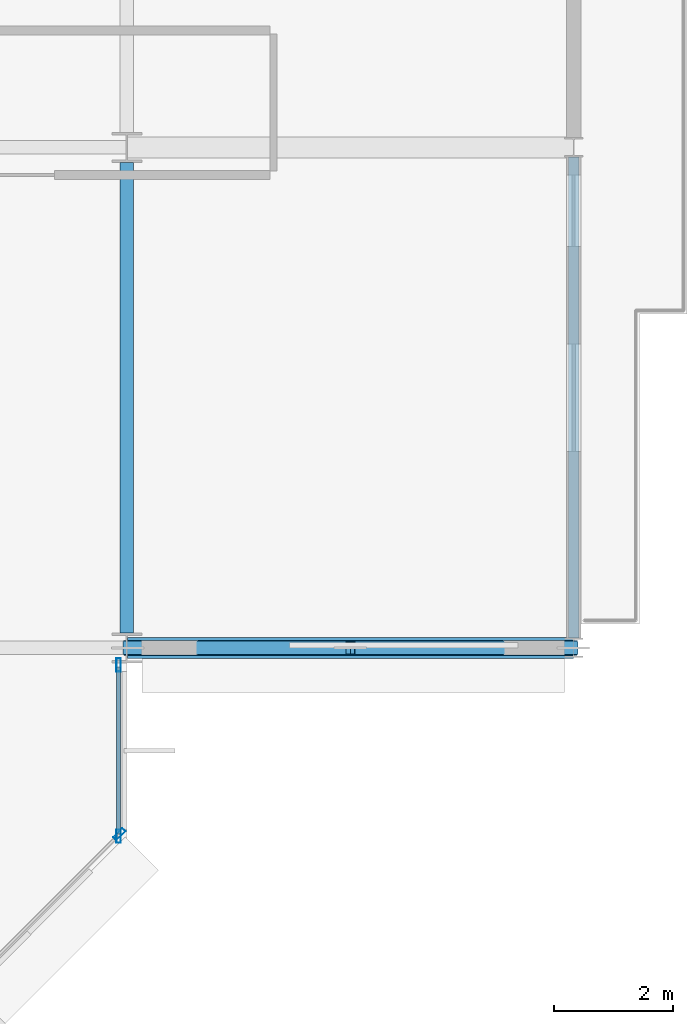
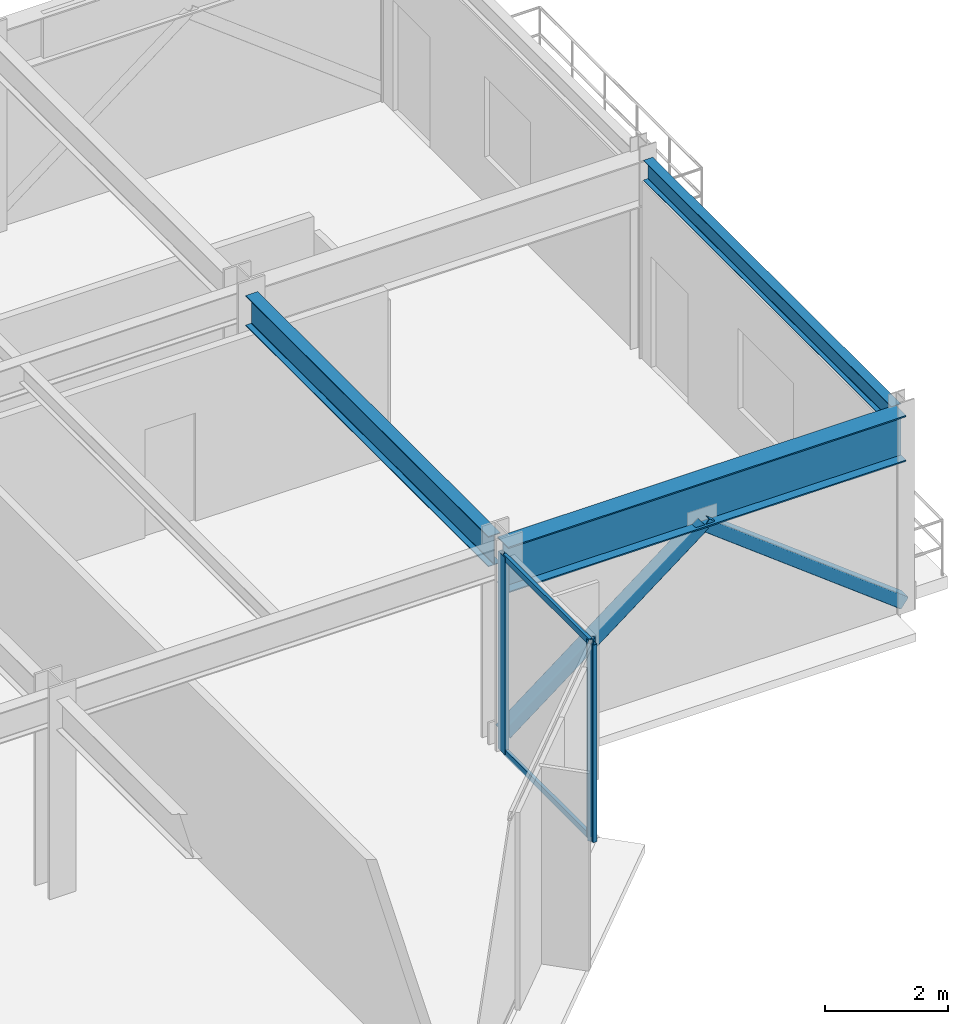
# One storey, part 13 of 30: 7 members, 3 beams, 2 elements without a shape of their own.
"""IFC4 building model written with IfcOpenShell, lengths in metres."""

from ifc_helpers import new_model, si_unit, direction, frame, origin, origin_2d, place, context, subcontext, project, spatial, hollow_rectangle, i_section, extrude, material, layer, layer_set, material_profile, profile_set, type_object, element, aggregate, save


model = new_model("IFC4")

# Units and contexts
model_context = context("Model", 3, precision=1e-05, world=origin(), true_north=direction((0.0, 1.0)))
body_context = subcontext(model_context, "Body", "Model", "MODEL_VIEW")
ifc_project = project(units=[si_unit("LENGTHUNIT", "METRE"), si_unit("AREAUNIT", "SQUARE_METRE"), si_unit("VOLUMEUNIT", "CUBIC_METRE"), si_unit("PLANEANGLEUNIT", "RADIAN"), si_unit("MASSUNIT", "GRAM", prefix="KILO")], contexts=[model_context])

# Site, building, storey
site_placement = place(None, origin())
site = spatial("IfcSite", under=ifc_project, at=site_placement, CompositionType="ELEMENT")
building_placement = place(site_placement, origin())
building = spatial("IfcBuilding", under=site, at=building_placement, Name="Nerrivon Quay Data Exchange", CompositionType="ELEMENT")
storey_placement = place(building_placement, frame((0.0, 0.0, 62.60009765625)))
storey = spatial("IfcBuildingStorey", under=building, at=storey_placement, Name="L14", CompositionType="ELEMENT", Elevation=62.60009765625)

# Beams
ifc_material_1 = material(Name="Steel Grade 350", Category="steel")
ifc_material_profile_1 = material_profile(ifc_material_1, i_section(OverallWidth=0.35009765625, OverallDepth=0.909912109375, WebThickness=0.011962890625, FlangeThickness=0.02490234375, at=origin_2d()), Name="900WB218")
ifc_profile_set_1 = profile_set([ifc_material_profile_1], Name="Steel Grade 350")
beam_type_1 = type_object("IfcBeamType", Name="BM-CANT-900WB", PredefinedType="USERDEFINED", material=ifc_profile_set_1)
beam_1_placement = place(storey_placement, frame((50.4140625, 8.39990234375, 3.469970703125), z_axis=(1.0, 0.0, 0.0), x_axis=(0.0, 1.0, 0.0)))
element("IfcBeam", 1, at=beam_1_placement, inside=storey, type_object=beam_type_1, Name="L14 East Hooked Cantilever Girder Y=8.4", ObjectType="TRANSFER", PredefinedType="USERDEFINED", context=body_context, shape_type="SweptSolid", body=[
    extrude(i_section(OverallWidth=0.35009765625, OverallDepth=0.909912109375, WebThickness=0.011962890625, FlangeThickness=0.02490234375, at=origin_2d()), origin(), (0.0, 0.0, 1.0), 7.47802734375),
])
ifc_material_profile_2 = material_profile(ifc_material_1, i_section(OverallWidth=0.22802734375, OverallDepth=0.60205078125, WebThickness=0.010498046875, FlangeThickness=0.014892578125, FilletRadius=0.013916015625, at=origin_2d()), Name="610UB101")
ifc_profile_set_2 = profile_set([ifc_material_profile_2], Name="Steel Grade 350")
beam_type_2 = type_object("IfcBeamType", Name="BM-G2-610UB101", PredefinedType="BEAM", material=ifc_profile_set_2)
beam_2_placement = place(storey_placement, frame((50.39990234375, 8.64990234375, 3.6240234375), z_axis=(0.0, 1.0, 0.0), x_axis=(-1.0, 0.0, 0.0)))
element("IfcBeam", 2, at=beam_2_placement, inside=storey, type_object=beam_type_2, Name="L14 NS Girder X=50.4 (8.4..16.8)", PredefinedType="BEAM", context=body_context, shape_type="SweptSolid", body=[
    extrude(i_section(OverallWidth=0.22802734375, OverallDepth=0.60205078125, WebThickness=0.010498046875, FlangeThickness=0.014892578125, FilletRadius=0.013916015625, at=origin_2d()), origin(), (0.0, 0.0, 1.0), 7.900146484375),
])
ifc_material_profile_3 = material_profile(ifc_material_1, i_section(OverallWidth=0.177978515625, OverallDepth=0.403076171875, WebThickness=0.007568359375, FlangeThickness=0.010986328125, FilletRadius=0.011474609375, at=origin_2d()), Name="410UB53.7")
ifc_profile_set_3 = profile_set([ifc_material_profile_3], Name="Steel Grade 350")
beam_type_3 = type_object("IfcBeamType", Name="BM-SP2-410UB54", PredefinedType="SPANDREL", material=ifc_profile_set_3)
beam_3_placement = place(storey_placement, frame((57.89990234375, 8.5634765625, 3.723388671875), z_axis=(0.0, 1.0, 0.0), x_axis=(-1.0, 0.0, 0.0)))
element("IfcBeam", 3, at=beam_3_placement, inside=storey, type_object=beam_type_3, Name="L14 East Hooked Edge Spandrel", PredefinedType="SPANDREL", context=body_context, shape_type="SweptSolid", body=[
    extrude(i_section(OverallWidth=0.177978515625, OverallDepth=0.403076171875, WebThickness=0.007568359375, FlangeThickness=0.010986328125, FilletRadius=0.011474609375, at=origin_2d()), origin(), (0.0, 0.0, 1.0), 8.072998046875),
])

# Curtain wall, members
ifc_material_2 = material(Name="Anodised aluminium 6063-T6", Category="aluminium")
ifc_layer = layer(ifc_material_2, 0.219970703125)
ifc_layer_set = layer_set([ifc_layer], Name="Anodised aluminium 6063-T6")
curtain_wall_type = type_object("IfcCurtainWallType", Name="CW-SYS-01", PredefinedType="NOTDEFINED", material=ifc_layer_set)
curtain_wall_1_placement = place(storey_placement, origin())
curtain_wall_1 = element("IfcCurtainWall", 4, at=curtain_wall_1_placement, inside=storey, type_object=curtain_wall_type, Name="L14 Unitised Curtain Wall 4", PredefinedType="NOTDEFINED")
ifc_material_profile_4 = material_profile(ifc_material_2, hollow_rectangle(XDim=0.074951171875, YDim=0.219970703125, WallThickness=0.00390625, at=origin_2d()), Name="ALU-MULL-220x75")
ifc_profile_set_4 = profile_set([ifc_material_profile_4], Name="Anodised aluminium 6063-T6")
member_type_1 = type_object("IfcMemberType", Name="CWM-220x75", PredefinedType="MULLION", material=ifc_profile_set_4)
member_1_placement = place(storey_placement, frame((50.260009765625, 8.112548828125, 0.0), z_axis=(0.0, 0.0, 1.0), x_axis=(1.0, 0.0, 0.0)))
member_1 = element("IfcMember", 5, at=member_1_placement, type_object=member_type_1, Name="CW01 mullion 1", PredefinedType="MULLION", context=body_context, shape_type="SweptSolid", body=[
    extrude(hollow_rectangle(XDim=0.074951171875, YDim=0.219970703125, WallThickness=0.00390625, at=origin_2d()), origin(), (0.0, 0.0, 1.0), 3.9248046875),
])
member_2_placement = place(storey_placement, frame((50.260009765625, 5.237548828125, 0.0), z_axis=(0.0, 0.0, 1.0), x_axis=(1.0, 0.0, 0.0)))
member_2 = element("IfcMember", 6, at=member_2_placement, type_object=member_type_1, Name="CW01 mullion 2", PredefinedType="MULLION", context=body_context, shape_type="SweptSolid", body=[
    extrude(hollow_rectangle(XDim=0.074951171875, YDim=0.219970703125, WallThickness=0.00390625, at=origin_2d()), origin(), (0.0, 0.0, 1.0), 3.9248046875),
])

# Curtain wall, member
curtain_wall_2_placement = place(storey_placement, origin())
curtain_wall_2 = element("IfcCurtainWall", 7, at=curtain_wall_2_placement, inside=storey, type_object=curtain_wall_type, Name="L14 Unitised Curtain Wall 5", PredefinedType="NOTDEFINED")
member_3_placement = place(storey_placement, frame((50.2744140625, 5.2724609375, 0.0), z_axis=(0.0, 0.0, 1.0), x_axis=(0.707106781187, -0.707106781187, 0.0)))
member_3 = element("IfcMember", 8, at=member_3_placement, type_object=member_type_1, Name="CW01 mullion 1", PredefinedType="MULLION", context=body_context, shape_type="SweptSolid", body=[
    extrude(hollow_rectangle(XDim=0.074951171875, YDim=0.219970703125, WallThickness=0.00390625, at=origin_2d()), origin(), (0.0, 0.0, 1.0), 3.9248046875),
])
aggregate(curtain_wall_2, [member_3])

# Member
ifc_material_profile_5 = material_profile(ifc_material_2, hollow_rectangle(XDim=0.06005859375, YDim=0.1201171875, WallThickness=0.003173828125, at=origin_2d()), Name="ALU-TRAN-120x60")
ifc_profile_set_5 = profile_set([ifc_material_profile_5], Name="Anodised aluminium 6063-T6")
member_type_2 = type_object("IfcMemberType", Name="CWT-120x60", PredefinedType="USERDEFINED", material=ifc_profile_set_5)
member_4_placement = place(storey_placement, frame((50.260009765625, 8.074951171875, 0.032470703125), z_axis=(0.0, -1.0, 0.0), x_axis=(1.0, 0.0, 0.0)))
member_4 = element("IfcMember", 9, at=member_4_placement, type_object=member_type_2, Name="CW01 transom 1.1", ObjectType="TRANSOM", PredefinedType="USERDEFINED", context=body_context, shape_type="SweptSolid", body=[
    extrude(hollow_rectangle(XDim=0.06005859375, YDim=0.1201171875, WallThickness=0.003173828125, at=origin_2d()), origin(), (0.0, 0.0, 1.0), 2.800048828125),
])

member_5_placement = place(storey_placement, frame((50.260009765625, 8.074951171875, 3.892333984375), z_axis=(0.0, -1.0, 0.0), x_axis=(1.0, 0.0, 0.0)))
member_5 = element("IfcMember", 10, at=member_5_placement, type_object=member_type_2, Name="CW01 transom 1.2", ObjectType="TRANSOM", PredefinedType="USERDEFINED", context=body_context, shape_type="SweptSolid", body=[
    extrude(hollow_rectangle(XDim=0.06005859375, YDim=0.1201171875, WallThickness=0.003173828125, at=origin_2d()), origin(), (0.0, 0.0, 1.0), 2.800048828125),
])

aggregate(curtain_wall_1, [member_1, member_2, member_4, member_5])

# Members
ifc_material_3 = material(Name="Steel Grade C350L0 (350 MPa)", Category="steel")
ifc_material_profile_6 = material_profile(ifc_material_3, hollow_rectangle(XDim=0.25, YDim=0.25, WallThickness=0.012451171875, InnerFilletRadius=0.018798828125, OuterFilletRadius=0.03125, at=origin_2d()), Name="250x250x12.5SHS")
ifc_profile_set_6 = profile_set([ifc_material_profile_6], Name="Steel Grade C350L0 (350 MPa)")
member_type_3 = type_object("IfcMemberType", Name="MEM-WB1-250SHS", PredefinedType="BRACE", material=ifc_profile_set_6)
member_6_placement = place(storey_placement, frame((50.4140625, 8.39990234375, 0.159912109375), z_axis=(0.793519549487, 0.0, 0.60854475972), x_axis=(0.0, 1.0, 0.0)))
element("IfcMember", 11, at=member_6_placement, inside=storey, type_object=member_type_3, Name="L14 structural brace BR-L14-EHOOK-084A", PredefinedType="BRACE", context=body_context, shape_type="SweptSolid", body=[
    extrude(hollow_rectangle(XDim=0.25, YDim=0.25, WallThickness=0.012451171875, InnerFilletRadius=0.018798828125, OuterFilletRadius=0.03125, at=origin_2d()), origin(), (0.0, 0.0, 1.0), 4.7080078125),
])
member_7_placement = place(storey_placement, frame((57.89208984375, 8.39990234375, 0.159912109375), z_axis=(-0.79401805636, 0.0, 0.607894173499), x_axis=(0.0, -1.0, 0.0)))
element("IfcMember", 12, at=member_7_placement, inside=storey, type_object=member_type_3, Name="L14 structural brace BR-L14-EHOOK-084B", PredefinedType="BRACE", context=body_context, shape_type="SweptSolid", body=[
    extrude(hollow_rectangle(XDim=0.25, YDim=0.25, WallThickness=0.012451171875, InnerFilletRadius=0.018798828125, OuterFilletRadius=0.03125, at=origin_2d()), origin(), (0.0, 0.0, 1.0), 4.712890625),
])

save(model, "model.ifc")
